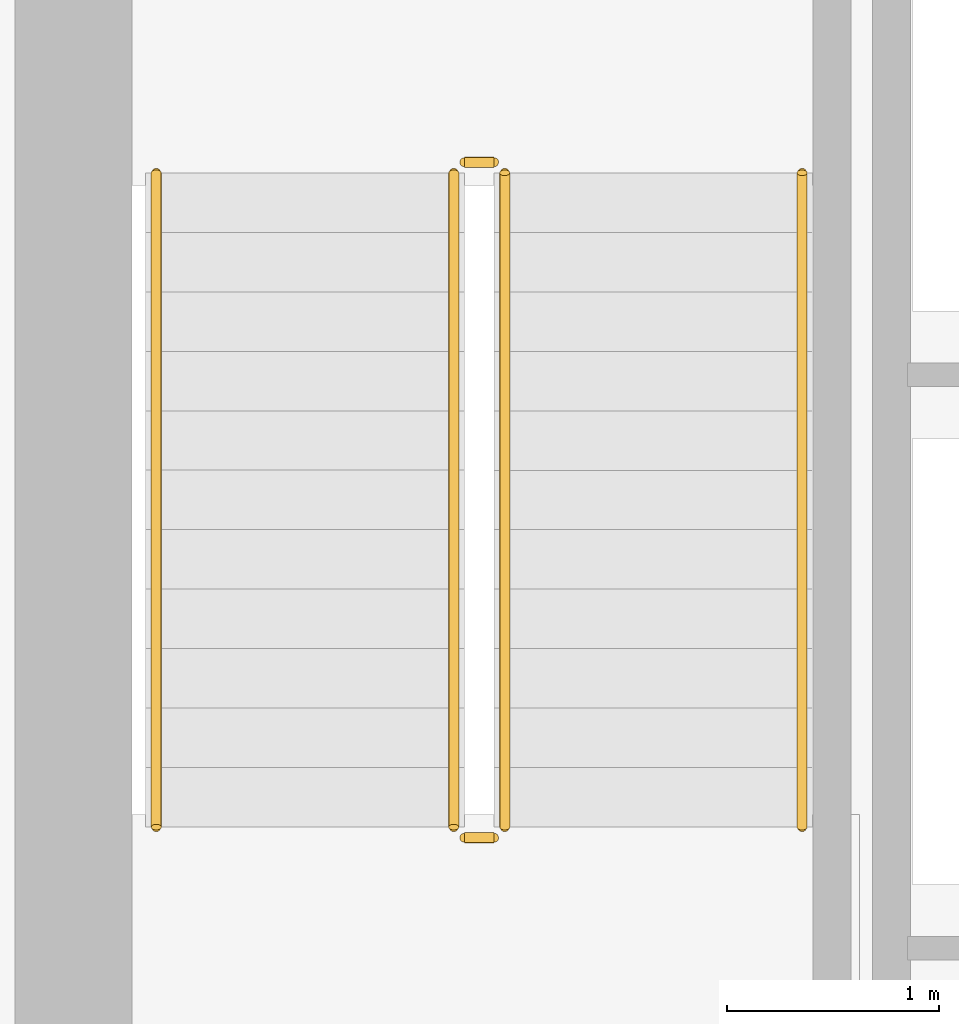
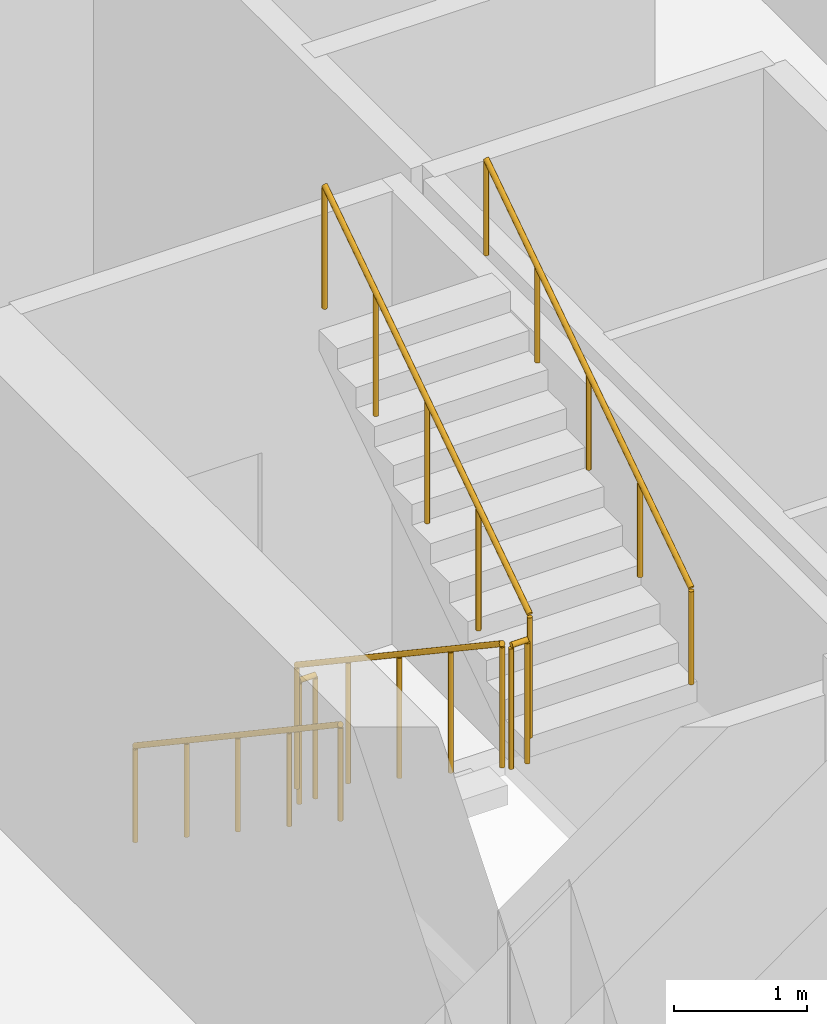
# One storey, part 17 of 21: 6 railings.
"""IFC4 building model written with IfcOpenShell, lengths in metres."""

from ifc_helpers import new_model, si_unit, direction, frame, origin, origin_2d, place, context, subcontext, project, spatial, circle, extrude, material, type_object, element, save


model = new_model("IFC4")

# Units and contexts
model_context = context("Model", 3, precision=1e-05, world=origin(), true_north=direction((0.0, 1.0)))
body_context = subcontext(model_context, "Body", "Model", "MODEL_VIEW")
ifc_project = project(units=[si_unit("LENGTHUNIT", "METRE"), si_unit("AREAUNIT", "SQUARE_METRE"), si_unit("VOLUMEUNIT", "CUBIC_METRE"), si_unit("PLANEANGLEUNIT", "RADIAN"), si_unit("MASSUNIT", "GRAM", prefix="KILO")], contexts=[model_context])

# Site, building, storey
site_placement = place(None, origin())
site = spatial("IfcSite", under=ifc_project, at=site_placement, CompositionType="ELEMENT")
building_placement = place(site_placement, origin())
building = spatial("IfcBuilding", under=site, at=building_placement, Name="Cairnveth Concourse Tower", CompositionType="ELEMENT")
storey_placement = place(building_placement, frame((0.0, 0.0, 14.5)))
storey = spatial("IfcBuildingStorey", under=building, at=storey_placement, Name="L03", CompositionType="ELEMENT", Elevation=14.5)

# Railings
ifc_material = material(Name="Steel Grade 350", Category="steel")
railing_type_1 = type_object("IfcRailingType", Name="STAIR GUARDRAIL 1150", PredefinedType="GUARDRAIL", material=ifc_material)
railing_1_placement = place(storey_placement, frame((45.2900390625, 37.10009765625, 0.1875)))
element("IfcRailing", 1, at=railing_1_placement, inside=storey, type_object=railing_type_1, Name="L03 ST-1 stair guard 1", PredefinedType="GUARDRAIL", context=body_context, shape_type="SweptSolid", body=[
    extrude(circle(Radius=0.02392578125, at=origin_2d()), frame((0.0, 0.0, 1.1259765625), z_axis=(0.0, -0.830913701846, 0.55640131208), x_axis=(1.0, 0.0, 0.0)), (0.0, 0.0, 1.0), 3.706787109375),
    extrude(circle(Radius=0.02099609375, at=origin_2d()), origin(), (0.0, 0.0, 1.0), 1.101806640625),
    extrude(circle(Radius=0.02099609375, at=origin_2d()), frame((0.0, -0.77001953125, 0.515625)), (0.0, 0.0, 1.0), 1.101806640625),
    extrude(circle(Radius=0.02099609375, at=origin_2d()), frame((0.0, -1.5400390625, 1.03125)), (0.0, 0.0, 1.0), 1.101806640625),
    extrude(circle(Radius=0.02099609375, at=origin_2d()), frame((0.0, -2.31005859375, 1.546875)), (0.0, 0.0, 1.0), 1.101806640625),
    extrude(circle(Radius=0.02099609375, at=origin_2d()), frame((0.0, -3.080078125, 2.0625)), (0.0, 0.0, 1.0), 1.101806640625),
])
railing_2_placement = place(storey_placement, frame((45.340087890625, 33.969970703125, 2.25)))
element("IfcRailing", 2, at=railing_2_placement, inside=storey, type_object=railing_type_1, Name="L03 ST-1 stair guard 2", PredefinedType="GUARDRAIL", context=body_context, shape_type="SweptSolid", body=[
    extrude(circle(Radius=0.02392578125, at=origin_2d()), frame((0.0, 0.0, 1.1259765625), z_axis=(1.0, 0.0, 0.0), x_axis=(0.0, 1.0, 0.0)), (0.0, 0.0, 1.0), 0.139892578125),
    extrude(circle(Radius=0.02099609375, at=origin_2d()), origin(), (0.0, 0.0, 1.0), 1.101806640625),
    extrude(circle(Radius=0.02099609375, at=origin_2d()), frame((0.139892578125, 0.0, 0.0)), (0.0, 0.0, 1.0), 1.101806640625),
])
railing_3_placement = place(storey_placement, frame((45.530029296875, 34.02001953125, 2.4375)))
element("IfcRailing", 3, at=railing_3_placement, inside=storey, type_object=railing_type_1, Name="L03 ST-1 stair guard 3", PredefinedType="GUARDRAIL", context=body_context, shape_type="SweptSolid", body=[
    extrude(circle(Radius=0.02392578125, at=origin_2d()), frame((0.0, 0.0, 1.1259765625), z_axis=(0.0, 0.830913701846, 0.55640131208), x_axis=(-1.0, 0.0, 0.0)), (0.0, 0.0, 1.0), 3.706787109375),
    extrude(circle(Radius=0.02099609375, at=origin_2d()), origin(), (0.0, 0.0, 1.0), 1.101806640625),
    extrude(circle(Radius=0.02099609375, at=origin_2d()), frame((0.0, 0.77001953125, 0.515625)), (0.0, 0.0, 1.0), 1.101806640625),
    extrude(circle(Radius=0.02099609375, at=origin_2d()), frame((0.0, 1.5400390625, 1.03125)), (0.0, 0.0, 1.0), 1.101806640625),
    extrude(circle(Radius=0.02099609375, at=origin_2d()), frame((0.0, 2.31005859375, 1.546875)), (0.0, 0.0, 1.0), 1.101806640625),
    extrude(circle(Radius=0.02099609375, at=origin_2d()), frame((0.0, 3.080078125, 2.0625)), (0.0, 0.0, 1.0), 1.101806640625),
])
railing_4_placement = place(storey_placement, frame((45.340087890625, 37.14990234375, 0.0)))
element("IfcRailing", 4, at=railing_4_placement, inside=storey, type_object=railing_type_1, Name="L03 ST-1 stair guard 4", PredefinedType="GUARDRAIL", context=body_context, shape_type="SweptSolid", body=[
    extrude(circle(Radius=0.02392578125, at=origin_2d()), frame((0.0, 0.0, 1.1259765625), z_axis=(1.0, 0.0, 0.0), x_axis=(0.0, 1.0, 0.0)), (0.0, 0.0, 1.0), 0.139892578125),
    extrude(circle(Radius=0.02099609375, at=origin_2d()), origin(), (0.0, 0.0, 1.0), 1.101806640625),
    extrude(circle(Radius=0.02099609375, at=origin_2d()), frame((0.139892578125, 0.0, 0.0)), (0.0, 0.0, 1.0), 1.101806640625),
])
railing_type_2 = type_object("IfcRailingType", Name="STAIR WALL HANDRAIL 900", PredefinedType="HANDRAIL", material=ifc_material)
railing_5_placement = place(storey_placement, frame((43.889892578125, 37.10009765625, 0.1875)))
element("IfcRailing", 5, at=railing_5_placement, inside=storey, type_object=railing_type_2, Name="L03 ST-1 stair handrail 1", PredefinedType="HANDRAIL", context=body_context, shape_type="SweptSolid", body=[
    extrude(circle(Radius=0.02392578125, at=origin_2d()), frame((0.0, 0.0, 0.8759765625), z_axis=(0.0, -0.830913701846, 0.55640131208), x_axis=(1.0, 0.0, 0.0)), (0.0, 0.0, 1.0), 3.706787109375),
    extrude(circle(Radius=0.02099609375, at=origin_2d()), origin(), (0.0, 0.0, 1.0), 0.851806640625),
    extrude(circle(Radius=0.02099609375, at=origin_2d()), frame((0.0, -0.77001953125, 0.515625)), (0.0, 0.0, 1.0), 0.851806640625),
    extrude(circle(Radius=0.02099609375, at=origin_2d()), frame((0.0, -1.5400390625, 1.03125)), (0.0, 0.0, 1.0), 0.851806640625),
    extrude(circle(Radius=0.02099609375, at=origin_2d()), frame((0.0, -2.31005859375, 1.546875)), (0.0, 0.0, 1.0), 0.851806640625),
    extrude(circle(Radius=0.02099609375, at=origin_2d()), frame((0.0, -3.080078125, 2.0625)), (0.0, 0.0, 1.0), 0.851806640625),
])
railing_6_placement = place(storey_placement, frame((46.929931640625, 34.02001953125, 2.4375)))
element("IfcRailing", 6, at=railing_6_placement, inside=storey, type_object=railing_type_2, Name="L03 ST-1 stair handrail 2", PredefinedType="HANDRAIL", context=body_context, shape_type="SweptSolid", body=[
    extrude(circle(Radius=0.02392578125, at=origin_2d()), frame((0.0, 0.0, 0.8759765625), z_axis=(0.0, 0.830913701846, 0.55640131208), x_axis=(-1.0, 0.0, 0.0)), (0.0, 0.0, 1.0), 3.706787109375),
    extrude(circle(Radius=0.02099609375, at=origin_2d()), origin(), (0.0, 0.0, 1.0), 0.851806640625),
    extrude(circle(Radius=0.02099609375, at=origin_2d()), frame((0.0, 0.77001953125, 0.515625)), (0.0, 0.0, 1.0), 0.851806640625),
    extrude(circle(Radius=0.02099609375, at=origin_2d()), frame((0.0, 1.5400390625, 1.03125)), (0.0, 0.0, 1.0), 0.851806640625),
    extrude(circle(Radius=0.02099609375, at=origin_2d()), frame((0.0, 2.31005859375, 1.546875)), (0.0, 0.0, 1.0), 0.851806640625),
    extrude(circle(Radius=0.02099609375, at=origin_2d()), frame((0.0, 3.080078125, 2.0625)), (0.0, 0.0, 1.0), 0.851806640625),
])

save(model, "model.ifc")
